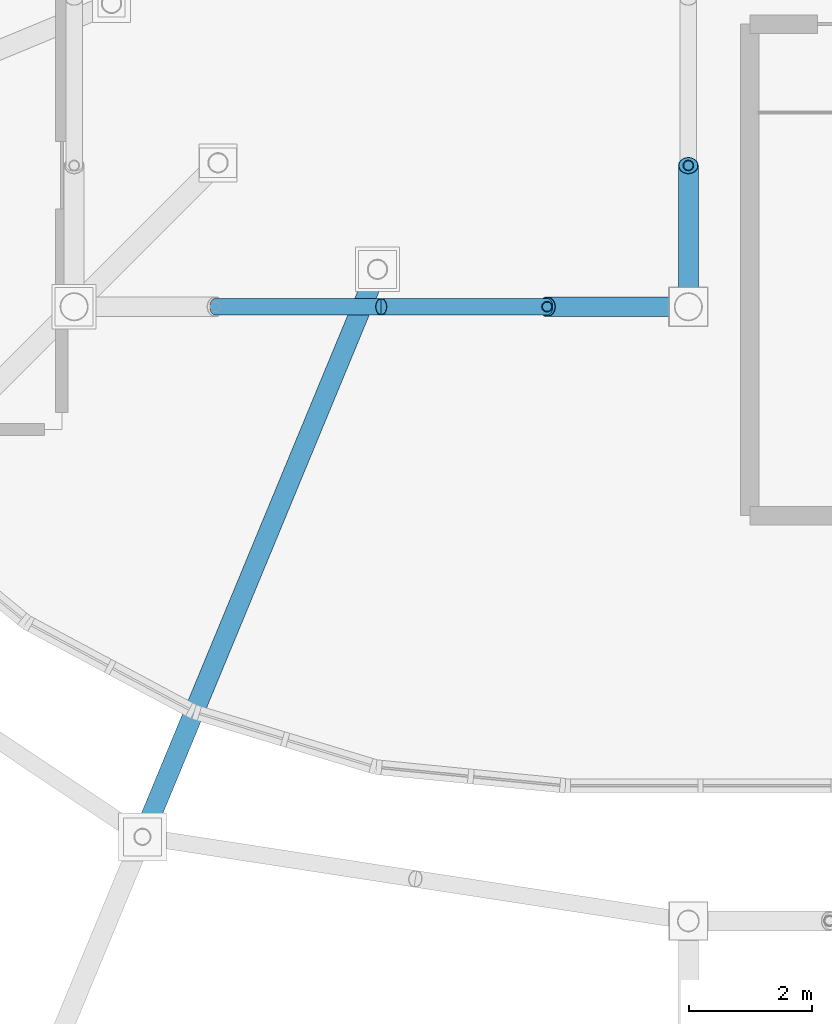
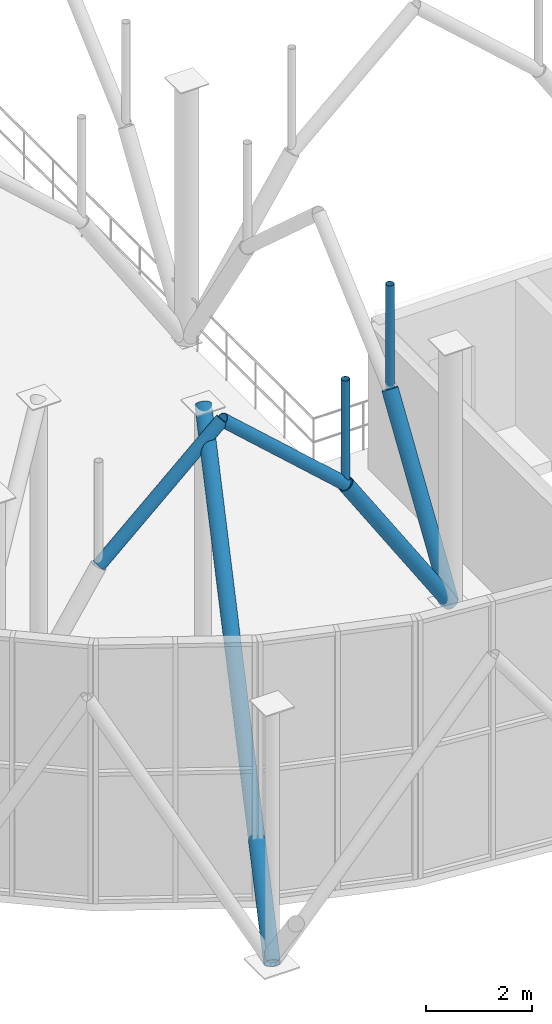
# One storey, part 30 of 109: 7 members.
"""IFC4 building model written with IfcOpenShell, lengths in metres."""

from ifc_helpers import new_model, si_unit, derived_unit, direction, frame, origin, origin_2d_with_axis, place, context, subcontext, project, spatial, hollow_circle, extrude, material, material_profile, profile_set, type_object, element, save


model = new_model("IFC4")

# Units and contexts
model_context = context("Model", 3, precision=1e-05, world=origin(), true_north=direction((0.0, 1.0)))
body_context = subcontext(model_context, "Body", "Model", "MODEL_VIEW")
ifc_project = project(units=[si_unit("LENGTHUNIT", "METRE"), si_unit("AREAUNIT", "SQUARE_METRE"), si_unit("VOLUMEUNIT", "CUBIC_METRE"), si_unit("PLANEANGLEUNIT", "RADIAN"), si_unit("MASSUNIT", "GRAM", prefix="KILO"), derived_unit("THERMALTRANSMITTANCEUNIT", [(si_unit("POWERUNIT", "WATT"), 1), (si_unit("LENGTHUNIT", "METRE"), -2), (si_unit("THERMODYNAMICTEMPERATUREUNIT", "KELVIN"), -1)])], contexts=[model_context])

# Site, building, storey
site_placement = place(None, origin())
site = spatial("IfcSite", under=ifc_project, at=site_placement, CompositionType="ELEMENT")
building_placement = place(site_placement, origin())
building = spatial("IfcBuilding", under=site, at=building_placement, Name="Cinnabar Yard Market Hall", CompositionType="ELEMENT")
storey_placement = place(building_placement, frame((0.0, 0.0, 8.39990234375)))
storey = spatial("IfcBuildingStorey", under=building, at=storey_placement, Name="L02", CompositionType="ELEMENT", Elevation=8.39990234375)

# Members
ifc_material_1 = material(Name="Spotted-gum glulam-clad steel Grade 350 (350 MPa)", Category="steel")
ifc_material_profile_1 = material_profile(ifc_material_1, hollow_circle(Radius=0.136474609375, WallThickness=0.00927734375, at=origin_2d_with_axis()), Name="273.1x9.3CHS")
ifc_profile_set_1 = profile_set([ifc_material_profile_1], Name="Spotted-gum glulam-clad steel Grade 350 (350 MPa)")
member_type_1 = type_object("IfcMemberType", Name="MB-AR01", PredefinedType="USERDEFINED", material=ifc_profile_set_1)
for number, where, z_axis, x_axis, name in (
    (1, (78.300048828125, 24.0, 3.550048828125), (0.743297488271, 0.0, 0.668961018244), (0.0, 1.0, 0.0), "Pointed Arch Rib 0001"),
    (2, (83.699951171875, 24.0, 3.550048828125), (-0.743297488271, 0.0, 0.668961018244), (0.0, -1.0, 0.0), "Pointed Arch Rib 0014"),
):
    element("IfcMember", number, at=place(storey_placement, frame(where, z_axis=z_axis, x_axis=x_axis)), inside=storey, type_object=member_type_1, Name=name, ObjectType="ARCH RIB", PredefinedType="USERDEFINED", context=body_context, shape_type="SweptSolid", body=[
        extrude(hollow_circle(Radius=0.136474609375, WallThickness=0.00927734375, at=origin_2d_with_axis()), origin(), (0.0, 0.0, 1.0), 3.63232421875),
    ])
ifc_material_profile_2 = material_profile(ifc_material_1, hollow_circle(Radius=0.161865234375, WallThickness=0.009521484375, at=origin_2d_with_axis()), Name="323.9x9.5CHS")
ifc_profile_set_2 = profile_set([ifc_material_profile_2], Name="Spotted-gum glulam-clad steel Grade 350 (350 MPa)")
member_type_2 = type_object("IfcMemberType", Name="MB-ST01", PredefinedType="STRUT", material=ifc_profile_set_2)
for number, where, z_axis, x_axis, name in (
    (3, (86.0, 24.0, 0.0), (-0.543744165176, 0.0, 0.839251024925), (0.0, -1.0, 0.0), "Curved Branch Arm Lower 0014"),
    (4, (86.0, 24.0, 0.0), (0.0, 0.543744165176, 0.839251024925), (-1.0, 0.0, 0.0), "Curved Branch Arm Lower 0015"),
):
    element("IfcMember", number, at=place(storey_placement, frame(where, z_axis=z_axis, x_axis=x_axis)), inside=storey, type_object=member_type_2, Name=name, PredefinedType="STRUT", context=body_context, shape_type="SweptSolid", body=[
        extrude(hollow_circle(Radius=0.161865234375, WallThickness=0.009521484375, at=origin_2d_with_axis()), origin(), (0.0, 0.0, 1.0), 4.22998046875),
    ])
ifc_material_profile_3 = material_profile(ifc_material_1, hollow_circle(Radius=0.161865234375, WallThickness=0.009521484375, at=origin_2d_with_axis()), Name="323.9x9.5CHS")
ifc_profile_set_3 = profile_set([ifc_material_profile_3], Name="Spotted-gum glulam-clad steel Grade 350 (350 MPa)")
member_type_3 = type_object("IfcMemberType", Name="MB-ST01E", PredefinedType="STRUT", material=ifc_profile_set_3)
member_placement = place(storey_placement, frame((77.11181640625, 15.3701171875, 0.0), z_axis=(0.328425302123, 0.792922692544, 0.513235252661), x_axis=(-0.923885312463, 0.382669478028, 0.0)))
element("IfcMember", 5, at=member_placement, inside=storey, type_object=member_type_3, Name="Corner Radial Inward Arm SW-6", PredefinedType="STRUT", context=body_context, shape_type="SweptSolid", body=[
    extrude(hollow_circle(Radius=0.161865234375, WallThickness=0.009521484375, at=origin_2d_with_axis()), origin(), (0.0, 0.0, 1.0), 11.651611328125),
])
ifc_material_2 = material(Name="Cold-formed steel C350L0", Category="steel")
ifc_material_profile_4 = material_profile(ifc_material_2, hollow_circle(Radius=0.084228515625, WallThickness=0.00634765625, at=origin_2d_with_axis()), Name="168.3x6.4CHS")
ifc_profile_set_4 = profile_set([ifc_material_profile_4], Name="Cold-formed steel C350L0")
member_type_4 = type_object("IfcMemberType", Name="MB-WB01", PredefinedType="STRUT", material=ifc_profile_set_4)
for number, where, z_axis, x_axis, name in (
    (6, (83.699951171875, 24.0, 3.550048828125), (0.0, 0.0, 1.0), (1.0, 0.0, 0.0), "Arch Spandrel Post 0014"),
    (7, (86.0, 26.300048828125, 3.550048828125), (0.0, 0.0, 1.0), (1.0, 0.0, 0.0), "Arch Spandrel Post 0015"),
):
    element("IfcMember", number, at=place(storey_placement, frame(where, z_axis=z_axis, x_axis=x_axis)), inside=storey, type_object=member_type_4, Name=name, PredefinedType="STRUT", context=body_context, shape_type="SweptSolid", body=[
        extrude(hollow_circle(Radius=0.084228515625, WallThickness=0.00634765625, at=origin_2d_with_axis()), origin(), (0.0, 0.0, 1.0), 2.429931640625),
    ])

save(model, "model.ifc")
